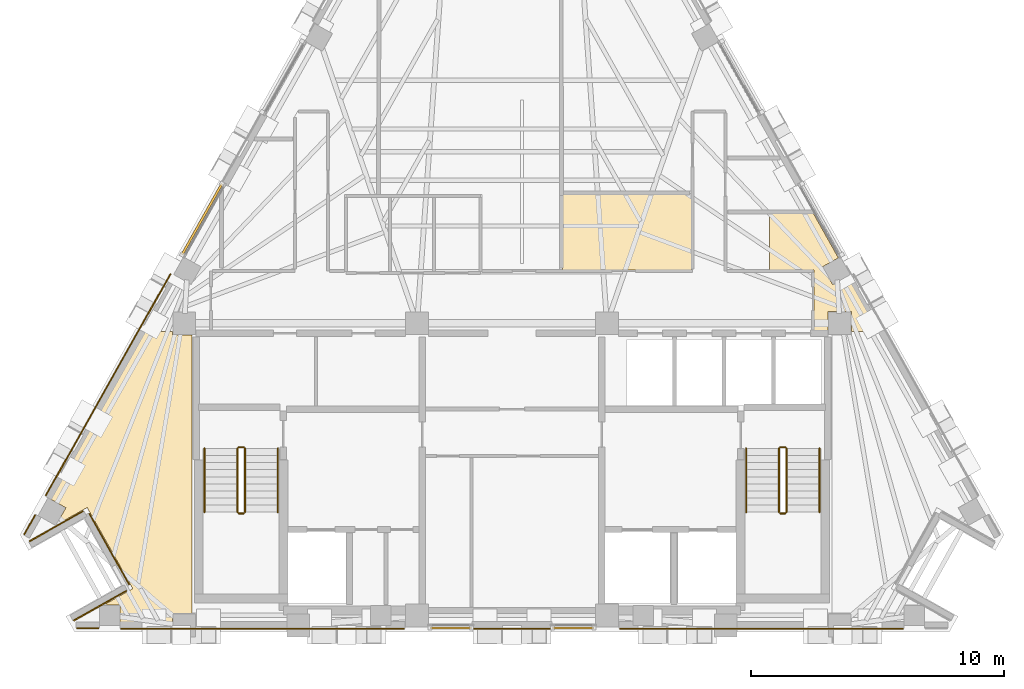
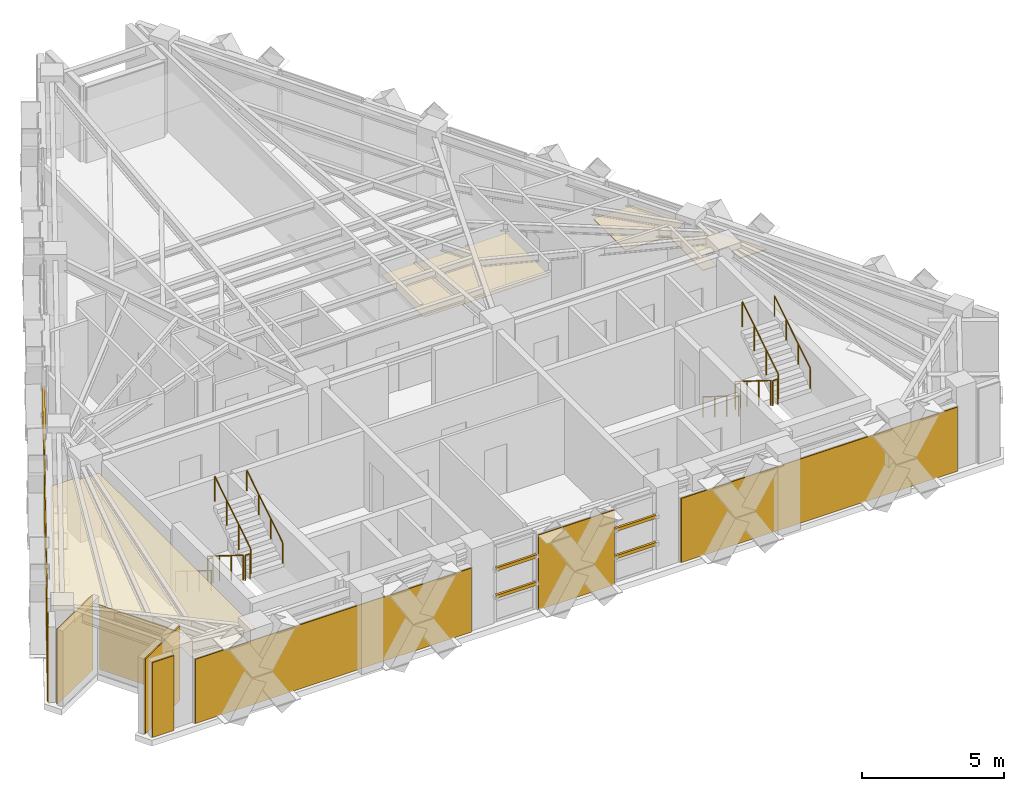
# One storey, part 10 of 11: 12 coverings, 12 railings, 6 shading devices.
"""IFC4 building model written with IfcOpenShell, lengths in metres."""

from ifc_helpers import new_model, si_unit, direction, frame, origin, origin_2d, place, context, subcontext, project, spatial, polyline, rectangle, circle, outline, extrude, material, layer, layer_set, material_profile, profile_set, type_object, element, save


model = new_model("IFC4")

# Units and contexts
model_context = context("Model", 3, precision=1e-05, world=origin(), true_north=direction((0.0, 1.0)))
body_context = subcontext(model_context, "Body", "Model", "MODEL_VIEW")
ifc_project = project(units=[si_unit("LENGTHUNIT", "METRE"), si_unit("AREAUNIT", "SQUARE_METRE"), si_unit("VOLUMEUNIT", "CUBIC_METRE"), si_unit("PLANEANGLEUNIT", "RADIAN"), si_unit("MASSUNIT", "GRAM", prefix="KILO")], contexts=[model_context])

# Site, building, storey
site_placement = place(None, origin())
site = spatial("IfcSite", under=ifc_project, at=site_placement, CompositionType="ELEMENT")
building_placement = place(site_placement, origin())
building = spatial("IfcBuilding", under=site, at=building_placement, Name="Quenlor Broadcast Tower", CompositionType="ELEMENT")
storey_placement = place(building_placement, frame((0.0, 0.0, 263.89990234375)))
storey = spatial("IfcBuildingStorey", under=building, at=storey_placement, Name="L73", CompositionType="ELEMENT", Elevation=263.89990234375)

# Coverings
ifc_material_1 = material(Name="Acoustic Mineral Fibre Board", Category="other")
ifc_layer_1 = layer(ifc_material_1, 0.02490234375)
ifc_layer_set_1 = layer_set([ifc_layer_1], Name="Acoustic Perforated Mineral Tile Ceiling 25")
covering_type_1 = type_object("IfcCoveringType", Name="Acoustic Perforated Mineral Tile Ceiling 25", PredefinedType="CEILING", material=ifc_layer_set_1)
covering_1_placement = place(storey_placement, frame((0.0, 0.0, 2.714599609375)))
element("IfcCovering", 1, at=covering_1_placement, inside=storey, type_object=covering_type_1, Name="L73 Acoustic Ceiling L73-29", PredefinedType="CEILING", context=body_context, shape_type="SweptSolid", body=[
    extrude(outline(polyline([(7.10009765625, 0.304931640625), (7.10009765625, -2.699951171875), (2.0, -2.699951171875), (2.0, 0.304931640625), (7.10009765625, 0.304931640625)])), origin(), (0.0, 0.0, 1.0), 0.025146484375),
])
covering_2_placement = place(storey_placement, frame((0.0, 0.0, 2.714599609375)))
element("IfcCovering", 2, at=covering_2_placement, inside=storey, type_object=covering_type_1, Name="L73 Acoustic Ceiling L73-31", PredefinedType="CEILING", context=body_context, shape_type="SweptSolid", body=[
    extrude(outline(polyline([(-18.25244140625, -11.7421875), (-14.52734375, -5.1201171875), (-13.407958984375, -5.1201171875), (-13.407958984375, -5.258056640625), (-12.64990234375, -5.258056640625), (-12.64990234375, -16.2919921875), (-13.407958984375, -16.2919921875), (-13.407958984375, -16.659912109375), (-15.489501953125, -16.659912109375), (-15.489501953125, -15.94189453125), (-16.1435546875, -15.94189453125), (-14.983642578125, -15.28955078125), (-16.785888671875, -12.085693359375), (-18.0087890625, -12.773681640625), (-17.626708984375, -12.09423828125), (-18.25244140625, -11.7421875)])), origin(), (0.0, 0.0, 1.0), 0.025146484375),
])
ifc_material_2 = material(Name="Acoustic Gypsum Board", Category="other")
ifc_layer_2 = layer(ifc_material_2, 0.0400390625)
ifc_layer_set_2 = layer_set([ifc_layer_2], Name="Broadcast Studio Spring Isolated Ceiling 40")
covering_type_2 = type_object("IfcCoveringType", Name="Broadcast Studio Spring Isolated Ceiling 40", PredefinedType="CEILING", material=ifc_layer_set_2)
covering_3_placement = place(storey_placement, frame((0.0, 0.0, 2.69970703125)))
element("IfcCovering", 3, at=covering_3_placement, inside=storey, type_object=covering_type_2, Name="L73 Acoustic Ceiling L73-30", PredefinedType="CEILING", context=body_context, shape_type="SweptSolid", body=[
    extrude(outline(polyline([(13.407958984375, -4.342041015625), (12.491943359375, -4.342041015625), (12.491943359375, -5.1201171875), (11.929931640625, -5.1201171875), (11.929931640625, -2.699951171875), (10.175048828125, -2.699951171875), (10.175048828125, -0.4501953125), (11.900634765625, -0.4501953125), (12.895751953125, -2.218994140625), (12.27001953125, -2.571044921875), (12.669921875, -3.2822265625), (13.295654296875, -2.930419921875), (14.52734375, -5.1201171875), (13.407958984375, -5.1201171875), (13.407958984375, -4.342041015625)])), origin(), (0.0, 0.0, 1.0), 0.0400390625),
])

# Shading devices
ifc_material_3 = material(Name="Architectural Terracotta Ceramic", Category="masonry")
ifc_material_profile = material_profile(ifc_material_3, rectangle(XDim=0.090087890625, YDim=0.139892578125, at=origin_2d()))
ifc_profile_set = profile_set([ifc_material_profile], Name="Architectural Terracotta Ceramic BAG90x140")
shading_device_type = type_object("IfcShadingDeviceType", Name="Copper Terracotta Baguette Solar Screen 140", PredefinedType="USERDEFINED", material=ifc_profile_set)
for number, where, z_axis, x_axis, name in (
    (4, (3.24755859375, -16.843017578125, 1.170166015625), (-1.0, 0.0, 0.0), (0.0, -1.0, 0.0), "L73 Terracotta Baguette Screen 1"),
    (5, (3.24755859375, -16.843017578125, 2.340087890625), (-1.0, 0.0, 0.0), (0.0, -1.0, 0.0), "L73 Terracotta Baguette Screen 2"),
    (6, (-1.60400390625, -16.843017578125, 1.170166015625), (-1.0, 0.0, 0.0), (0.0, -1.0, 0.0), "L73 Terracotta Baguette Screen 1"),
    (7, (-1.60400390625, -16.843017578125, 2.340087890625), (-1.0, 0.0, 0.0), (0.0, -1.0, 0.0), "L73 Terracotta Baguette Screen 2"),
):
    element("IfcShadingDevice", number, at=place(storey_placement, frame(where, z_axis=z_axis, x_axis=x_axis)), inside=storey, type_object=shading_device_type, Name=name, ObjectType="BAGUETTE", PredefinedType="USERDEFINED", context=body_context, shape_type="SweptSolid", body=[
        extrude(rectangle(XDim=0.090087890625, YDim=0.139892578125, at=origin_2d()), origin(), (0.0, 0.0, 1.0), 1.6435546875),
    ])
for number, where, z_axis, x_axis, name in (
    (8, (-13.033203125, -2.090576171875, 1.170166015625), (0.490203442487, 0.871608045496, 0.0), (-0.871608045496, 0.490203442487, 0.0), "L73 Terracotta Baguette Screen 1"),
    (9, (-13.033203125, -2.090576171875, 2.340087890625), (0.490203442487, 0.871608045496, 0.0), (-0.871608045496, 0.490203442487, 0.0), "L73 Terracotta Baguette Screen 2"),
):
    element("IfcShadingDevice", number, at=place(storey_placement, frame(where, z_axis=z_axis, x_axis=x_axis)), inside=storey, type_object=shading_device_type, Name=name, ObjectType="BAGUETTE", PredefinedType="USERDEFINED", context=body_context, shape_type="SweptSolid", body=[
        extrude(rectangle(XDim=0.090087890625, YDim=0.139892578125, at=origin_2d()), origin(), (0.0, 0.0, 1.0), 3.208984375),
    ])

# Coverings
ifc_material_4 = material(Name="Architectural Terracotta Ceramic", Category="masonry")
ifc_layer_3 = layer(ifc_material_4, 0.044921875)
ifc_layer_set_3 = layer_set([ifc_layer_3], Name="Fluted Terracotta Rainscreen Cladding Panel")
covering_type_3 = type_object("IfcCoveringType", Name="Fluted Terracotta Rainscreen Cladding Panel", PredefinedType="CLADDING", material=ifc_layer_set_3)
covering_4_placement = place(storey_placement, frame((0.0, 0.0, 0.02001953125)))
element("IfcCovering", 10, at=covering_4_placement, inside=storey, type_object=covering_type_3, Name="L73 Terracotta Rainscreen Cladding L73-SHD-SS1", PredefinedType="CLADDING", context=body_context, shape_type="SweptSolid", body=[
    extrude(outline(polyline([(-16.33251953125, -16.8369140625), (-17.18994140625, -16.8369140625), (-17.18994140625, -16.882080078125), (-16.33251953125, -16.882080078125), (-16.33251953125, -16.8369140625)])), origin(), (0.0, 0.0, 1.0), 3.2099609375),
])
covering_5_placement = place(storey_placement, frame((0.0, 0.0, 0.02001953125)))
element("IfcCovering", 11, at=covering_5_placement, inside=storey, type_object=covering_type_3, Name="L73 Terracotta Rainscreen Cladding L73-EW-SA", PredefinedType="CLADDING", context=body_context, shape_type="SweptSolid", body=[
    extrude(outline(polyline([(15.462646484375, -16.846923828125), (4.25, -16.846923828125), (4.25, -16.89208984375), (15.462646484375, -16.89208984375), (15.462646484375, -16.846923828125)])), origin(), (0.0, 0.0, 1.0), 2.749755859375),
])
covering_6_placement = place(storey_placement, frame((0.0, 0.0, 0.02001953125)))
element("IfcCovering", 12, at=covering_6_placement, inside=storey, type_object=covering_type_3, Name="L73 Terracotta Rainscreen Cladding L73-EW-SC", PredefinedType="CLADDING", context=body_context, shape_type="SweptSolid", body=[
    extrude(outline(polyline([(-4.25, -16.846923828125), (-15.462646484375, -16.846923828125), (-15.462646484375, -16.89208984375), (-4.25, -16.89208984375), (-4.25, -16.846923828125)])), origin(), (0.0, 0.0, 1.0), 2.749755859375),
])
covering_7_placement = place(storey_placement, frame((0.0, 0.0, 0.02001953125)))
element("IfcCovering", 13, at=covering_7_placement, inside=storey, type_object=covering_type_3, Name="L73 Terracotta Rainscreen Cladding L73-S-SP1", PredefinedType="CLADDING", context=body_context, shape_type="SweptSolid", body=[
    extrude(outline(polyline([(1.54150390625, -16.846923828125), (-1.54150390625, -16.846923828125), (-1.54150390625, -16.89208984375), (1.54150390625, -16.89208984375), (1.54150390625, -16.846923828125)])), origin(), (0.0, 0.0, 1.0), 3.2099609375),
])
covering_8_placement = place(storey_placement, frame((0.0, 0.0, 0.02001953125)))
element("IfcCovering", 14, at=covering_8_placement, inside=storey, type_object=covering_type_3, Name="L73 Terracotta Rainscreen Cladding L73-SHD-NWS0", PredefinedType="CLADDING", context=body_context, shape_type="SweptSolid", body=[
    extrude(outline(polyline([(-19.25390625, -13.161376953125), (-18.820068359375, -12.39013671875), (-18.859130859375, -12.3681640625), (-19.29296875, -13.139404296875), (-19.25390625, -13.161376953125)])), origin(), (0.0, 0.0, 1.0), 3.2099609375),
])
covering_9_placement = place(storey_placement, frame((0.0, 0.0, 0.02001953125)))
element("IfcCovering", 15, at=covering_9_placement, inside=storey, type_object=covering_type_3, Name="L73 Terracotta Rainscreen Cladding L73-EW-NWA", PredefinedType="CLADDING", context=body_context, shape_type="SweptSolid", body=[
    extrude(outline(polyline([(-18.402099609375, -11.626953125), (-13.471923828125, -2.862060546875), (-13.51123046875, -2.840087890625), (-18.44140625, -11.60498046875), (-18.402099609375, -11.626953125)])), origin(), (0.0, 0.0, 1.0), 3.2099609375),
])
covering_10_placement = place(storey_placement, frame((0.0, 0.0, 0.02001953125)))
element("IfcCovering", 16, at=covering_10_placement, inside=storey, type_object=covering_type_3, Name="L73 Terracotta Rainscreen Cladding L73-CNR-13", PredefinedType="CLADDING", context=body_context, shape_type="SweptSolid", body=[
    extrude(outline(polyline([(-19.062255859375, -13.444091796875), (-16.935546875, -12.247802734375), (-16.95751953125, -12.208740234375), (-19.084228515625, -13.405029296875), (-19.062255859375, -13.444091796875)])), origin(), (0.0, 0.0, 1.0), 3.2099609375),
])
covering_11_placement = place(storey_placement, frame((0.0, 0.0, 0.02001953125)))
element("IfcCovering", 17, at=covering_11_placement, inside=storey, type_object=covering_type_3, Name="L73 Terracotta Rainscreen Cladding L73-CNR-14", PredefinedType="CLADDING", context=body_context, shape_type="SweptSolid", body=[
    extrude(outline(polyline([(-16.72265625, -12.3369140625), (-15.14599609375, -15.139892578125), (-15.106689453125, -15.117919921875), (-16.683349609375, -12.31494140625), (-16.72265625, -12.3369140625)])), origin(), (0.0, 0.0, 1.0), 2.749755859375),
])
covering_12_placement = place(storey_placement, frame((0.0, 0.0, 0.02001953125)))
element("IfcCovering", 18, at=covering_12_placement, inside=storey, type_object=covering_type_3, Name="L73 Terracotta Rainscreen Cladding L73-CNR-15", PredefinedType="CLADDING", context=body_context, shape_type="SweptSolid", body=[
    extrude(outline(polyline([(-15.23486328125, -15.352783203125), (-17.32666015625, -16.529541015625), (-17.3046875, -16.568603515625), (-15.212890625, -15.39208984375), (-15.23486328125, -15.352783203125)])), origin(), (0.0, 0.0, 1.0), 3.2099609375),
])

# Railings
ifc_material_5 = material(Name="Anodised Aluminium", Category="aluminium")
railing_type_1 = type_object("IfcRailingType", Name="Stainless Aluminium Wall Handrail 900", PredefinedType="HANDRAIL", material=ifc_material_5)
railing_1_placement = place(storey_placement, frame((-12.14990234375, -9.75, 0.175048828125)))
element("IfcRailing", 19, at=railing_1_placement, inside=storey, type_object=railing_type_1, Name="L73 ST-1 stair handrail 1", PredefinedType="HANDRAIL", context=body_context, shape_type="SweptSolid", body=[
    extrude(circle(Radius=0.02392578125, at=origin_2d()), frame((0.0, 0.0, 0.8759765625), z_axis=(0.0, -0.848007534815, 0.529984170421), x_axis=(1.0, 0.0, 0.0)), (0.0, 0.0, 1.0), 2.9716796875),
    extrude(circle(Radius=0.02099609375, at=origin_2d()), origin(), (0.0, 0.0, 1.0), 0.851806640625),
    extrude(circle(Radius=0.02099609375, at=origin_2d()), frame((0.0, -0.840087890625, 0.52490234375)), (0.0, 0.0, 1.0), 0.851806640625),
    extrude(circle(Radius=0.02099609375, at=origin_2d()), frame((0.0, -1.679931640625, 1.050048828125)), (0.0, 0.0, 1.0), 0.851806640625),
    extrude(circle(Radius=0.02099609375, at=origin_2d()), frame((0.0, -2.52001953125, 1.574951171875)), (0.0, 0.0, 1.0), 0.851806640625),
])
railing_2_placement = place(storey_placement, frame((-9.25, -12.27001953125, 1.925048828125)))
element("IfcRailing", 20, at=railing_2_placement, inside=storey, type_object=railing_type_1, Name="L73 ST-1 stair handrail 2", PredefinedType="HANDRAIL", context=body_context, shape_type="SweptSolid", body=[
    extrude(circle(Radius=0.02392578125, at=origin_2d()), frame((0.0, 0.0, 0.8759765625), z_axis=(0.0, 0.848007534815, 0.529984170421), x_axis=(-1.0, 0.0, 0.0)), (0.0, 0.0, 1.0), 2.9716796875),
    extrude(circle(Radius=0.02099609375, at=origin_2d()), origin(), (0.0, 0.0, 1.0), 0.851806640625),
    extrude(circle(Radius=0.02099609375, at=origin_2d()), frame((0.0, 0.840087890625, 0.52490234375)), (0.0, 0.0, 1.0), 0.851806640625),
    extrude(circle(Radius=0.02099609375, at=origin_2d()), frame((0.0, 1.679931640625, 1.050048828125)), (0.0, 0.0, 1.0), 0.851806640625),
    extrude(circle(Radius=0.02099609375, at=origin_2d()), frame((0.0, 2.52001953125, 1.574951171875)), (0.0, 0.0, 1.0), 0.851806640625),
])
railing_3_placement = place(storey_placement, frame((9.25, -9.75, 0.175048828125)))
element("IfcRailing", 21, at=railing_3_placement, inside=storey, type_object=railing_type_1, Name="L73 ST-2 stair handrail 1", PredefinedType="HANDRAIL", context=body_context, shape_type="SweptSolid", body=[
    extrude(circle(Radius=0.02392578125, at=origin_2d()), frame((0.0, 0.0, 0.8759765625), z_axis=(0.0, -0.848007534815, 0.529984170421), x_axis=(1.0, 0.0, 0.0)), (0.0, 0.0, 1.0), 2.9716796875),
    extrude(circle(Radius=0.02099609375, at=origin_2d()), origin(), (0.0, 0.0, 1.0), 0.851806640625),
    extrude(circle(Radius=0.02099609375, at=origin_2d()), frame((0.0, -0.840087890625, 0.52490234375)), (0.0, 0.0, 1.0), 0.851806640625),
    extrude(circle(Radius=0.02099609375, at=origin_2d()), frame((0.0, -1.679931640625, 1.050048828125)), (0.0, 0.0, 1.0), 0.851806640625),
    extrude(circle(Radius=0.02099609375, at=origin_2d()), frame((0.0, -2.52001953125, 1.574951171875)), (0.0, 0.0, 1.0), 0.851806640625),
])
railing_4_placement = place(storey_placement, frame((12.14990234375, -12.27001953125, 1.925048828125)))
element("IfcRailing", 22, at=railing_4_placement, inside=storey, type_object=railing_type_1, Name="L73 ST-2 stair handrail 2", PredefinedType="HANDRAIL", context=body_context, shape_type="SweptSolid", body=[
    extrude(circle(Radius=0.02392578125, at=origin_2d()), frame((0.0, 0.0, 0.8759765625), z_axis=(0.0, 0.848007534815, 0.529984170421), x_axis=(-1.0, 0.0, 0.0)), (0.0, 0.0, 1.0), 2.9716796875),
    extrude(circle(Radius=0.02099609375, at=origin_2d()), origin(), (0.0, 0.0, 1.0), 0.851806640625),
    extrude(circle(Radius=0.02099609375, at=origin_2d()), frame((0.0, 0.840087890625, 0.52490234375)), (0.0, 0.0, 1.0), 0.851806640625),
    extrude(circle(Radius=0.02099609375, at=origin_2d()), frame((0.0, 1.679931640625, 1.050048828125)), (0.0, 0.0, 1.0), 0.851806640625),
    extrude(circle(Radius=0.02099609375, at=origin_2d()), frame((0.0, 2.52001953125, 1.574951171875)), (0.0, 0.0, 1.0), 0.851806640625),
])
ifc_material_6 = material(Name="Steel S355", Category="steel")
railing_type_2 = type_object("IfcRailingType", Name="Tubular Steel S355 Stair Guardrail 1100", PredefinedType="BALUSTRADE", material=ifc_material_6)
railing_5_placement = place(storey_placement, frame((-10.85009765625, -9.75, 0.175048828125)))
element("IfcRailing", 23, at=railing_5_placement, inside=storey, type_object=railing_type_2, Name="L73 ST-1 stair guard 1", PredefinedType="BALUSTRADE", context=body_context, shape_type="SweptSolid", body=[
    extrude(circle(Radius=0.02392578125, at=origin_2d()), frame((0.0, 0.0, 1.076171875), z_axis=(0.0, -0.848007534815, 0.529984170421), x_axis=(1.0, 0.0, 0.0)), (0.0, 0.0, 1.0), 2.9716796875),
    extrude(circle(Radius=0.02099609375, at=origin_2d()), origin(), (0.0, 0.0, 1.0), 1.052001953125),
    extrude(circle(Radius=0.02099609375, at=origin_2d()), frame((0.0, -0.840087890625, 0.52490234375)), (0.0, 0.0, 1.0), 1.052001953125),
    extrude(circle(Radius=0.02099609375, at=origin_2d()), frame((0.0, -1.679931640625, 1.050048828125)), (0.0, 0.0, 1.0), 1.052001953125),
    extrude(circle(Radius=0.02099609375, at=origin_2d()), frame((0.0, -2.52001953125, 1.574951171875)), (0.0, 0.0, 1.0), 1.052001953125),
])
railing_6_placement = place(storey_placement, frame((-10.800048828125, -12.320068359375, 1.75)))
element("IfcRailing", 24, at=railing_6_placement, inside=storey, type_object=railing_type_2, Name="L73 ST-1 stair guard 2", PredefinedType="BALUSTRADE", context=body_context, shape_type="SweptSolid", body=[
    extrude(circle(Radius=0.02392578125, at=origin_2d()), frame((0.0, 0.0, 1.076171875), z_axis=(1.0, 0.0, 0.0), x_axis=(0.0, 1.0, 0.0)), (0.0, 0.0, 1.0), 0.199951171875),
    extrude(circle(Radius=0.02099609375, at=origin_2d()), origin(), (0.0, 0.0, 1.0), 1.052001953125),
    extrude(circle(Radius=0.02099609375, at=origin_2d()), frame((0.199951171875, 0.0, 0.0)), (0.0, 0.0, 1.0), 1.052001953125),
])
railing_7_placement = place(storey_placement, frame((-10.550048828125, -12.27001953125, 1.925048828125)))
element("IfcRailing", 25, at=railing_7_placement, inside=storey, type_object=railing_type_2, Name="L73 ST-1 stair guard 3", PredefinedType="BALUSTRADE", context=body_context, shape_type="SweptSolid", body=[
    extrude(circle(Radius=0.02392578125, at=origin_2d()), frame((0.0, 0.0, 1.076171875), z_axis=(0.0, 0.848007534815, 0.529984170421), x_axis=(-1.0, 0.0, 0.0)), (0.0, 0.0, 1.0), 2.9716796875),
    extrude(circle(Radius=0.02099609375, at=origin_2d()), origin(), (0.0, 0.0, 1.0), 1.052001953125),
    extrude(circle(Radius=0.02099609375, at=origin_2d()), frame((0.0, 0.840087890625, 0.52490234375)), (0.0, 0.0, 1.0), 1.052001953125),
    extrude(circle(Radius=0.02099609375, at=origin_2d()), frame((0.0, 1.679931640625, 1.050048828125)), (0.0, 0.0, 1.0), 1.052001953125),
    extrude(circle(Radius=0.02099609375, at=origin_2d()), frame((0.0, 2.52001953125, 1.574951171875)), (0.0, 0.0, 1.0), 1.052001953125),
])
railing_8_placement = place(storey_placement, frame((-10.800048828125, -9.699951171875, 0.0)))
element("IfcRailing", 26, at=railing_8_placement, inside=storey, type_object=railing_type_2, Name="L73 ST-1 stair guard 4", PredefinedType="BALUSTRADE", context=body_context, shape_type="SweptSolid", body=[
    extrude(circle(Radius=0.02392578125, at=origin_2d()), frame((0.0, 0.0, 1.076171875), z_axis=(1.0, 0.0, 0.0), x_axis=(0.0, 1.0, 0.0)), (0.0, 0.0, 1.0), 0.199951171875),
    extrude(circle(Radius=0.02099609375, at=origin_2d()), origin(), (0.0, 0.0, 1.0), 1.052001953125),
    extrude(circle(Radius=0.02099609375, at=origin_2d()), frame((0.199951171875, 0.0, 0.0)), (0.0, 0.0, 1.0), 1.052001953125),
])
railing_9_placement = place(storey_placement, frame((10.550048828125, -9.75, 0.175048828125)))
element("IfcRailing", 27, at=railing_9_placement, inside=storey, type_object=railing_type_2, Name="L73 ST-2 stair guard 1", PredefinedType="BALUSTRADE", context=body_context, shape_type="SweptSolid", body=[
    extrude(circle(Radius=0.02392578125, at=origin_2d()), frame((0.0, 0.0, 1.076171875), z_axis=(0.0, -0.848007534815, 0.529984170421), x_axis=(1.0, 0.0, 0.0)), (0.0, 0.0, 1.0), 2.9716796875),
    extrude(circle(Radius=0.02099609375, at=origin_2d()), origin(), (0.0, 0.0, 1.0), 1.052001953125),
    extrude(circle(Radius=0.02099609375, at=origin_2d()), frame((0.0, -0.840087890625, 0.52490234375)), (0.0, 0.0, 1.0), 1.052001953125),
    extrude(circle(Radius=0.02099609375, at=origin_2d()), frame((0.0, -1.679931640625, 1.050048828125)), (0.0, 0.0, 1.0), 1.052001953125),
    extrude(circle(Radius=0.02099609375, at=origin_2d()), frame((0.0, -2.52001953125, 1.574951171875)), (0.0, 0.0, 1.0), 1.052001953125),
])
railing_10_placement = place(storey_placement, frame((10.60009765625, -12.320068359375, 1.75)))
element("IfcRailing", 28, at=railing_10_placement, inside=storey, type_object=railing_type_2, Name="L73 ST-2 stair guard 2", PredefinedType="BALUSTRADE", context=body_context, shape_type="SweptSolid", body=[
    extrude(circle(Radius=0.02392578125, at=origin_2d()), frame((0.0, 0.0, 1.076171875), z_axis=(1.0, 0.0, 0.0), x_axis=(0.0, 1.0, 0.0)), (0.0, 0.0, 1.0), 0.199951171875),
    extrude(circle(Radius=0.02099609375, at=origin_2d()), origin(), (0.0, 0.0, 1.0), 1.052001953125),
    extrude(circle(Radius=0.02099609375, at=origin_2d()), frame((0.199951171875, 0.0, 0.0)), (0.0, 0.0, 1.0), 1.052001953125),
])
railing_11_placement = place(storey_placement, frame((10.85009765625, -12.27001953125, 1.925048828125)))
element("IfcRailing", 29, at=railing_11_placement, inside=storey, type_object=railing_type_2, Name="L73 ST-2 stair guard 3", PredefinedType="BALUSTRADE", context=body_context, shape_type="SweptSolid", body=[
    extrude(circle(Radius=0.02392578125, at=origin_2d()), frame((0.0, 0.0, 1.076171875), z_axis=(0.0, 0.848007534815, 0.529984170421), x_axis=(-1.0, 0.0, 0.0)), (0.0, 0.0, 1.0), 2.9716796875),
    extrude(circle(Radius=0.02099609375, at=origin_2d()), origin(), (0.0, 0.0, 1.0), 1.052001953125),
    extrude(circle(Radius=0.02099609375, at=origin_2d()), frame((0.0, 0.840087890625, 0.52490234375)), (0.0, 0.0, 1.0), 1.052001953125),
    extrude(circle(Radius=0.02099609375, at=origin_2d()), frame((0.0, 1.679931640625, 1.050048828125)), (0.0, 0.0, 1.0), 1.052001953125),
    extrude(circle(Radius=0.02099609375, at=origin_2d()), frame((0.0, 2.52001953125, 1.574951171875)), (0.0, 0.0, 1.0), 1.052001953125),
])
railing_12_placement = place(storey_placement, frame((10.60009765625, -9.699951171875, 0.0)))
element("IfcRailing", 30, at=railing_12_placement, inside=storey, type_object=railing_type_2, Name="L73 ST-2 stair guard 4", PredefinedType="BALUSTRADE", context=body_context, shape_type="SweptSolid", body=[
    extrude(circle(Radius=0.02392578125, at=origin_2d()), frame((0.0, 0.0, 1.076171875), z_axis=(1.0, 0.0, 0.0), x_axis=(0.0, 1.0, 0.0)), (0.0, 0.0, 1.0), 0.199951171875),
    extrude(circle(Radius=0.02099609375, at=origin_2d()), origin(), (0.0, 0.0, 1.0), 1.052001953125),
    extrude(circle(Radius=0.02099609375, at=origin_2d()), frame((0.199951171875, 0.0, 0.0)), (0.0, 0.0, 1.0), 1.052001953125),
])

save(model, "model.ifc")
